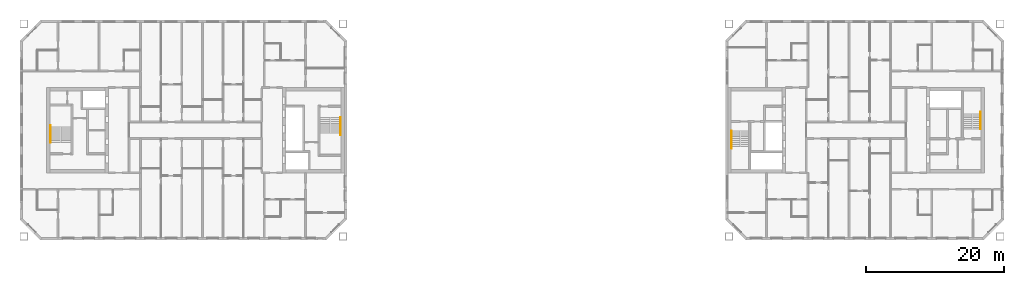
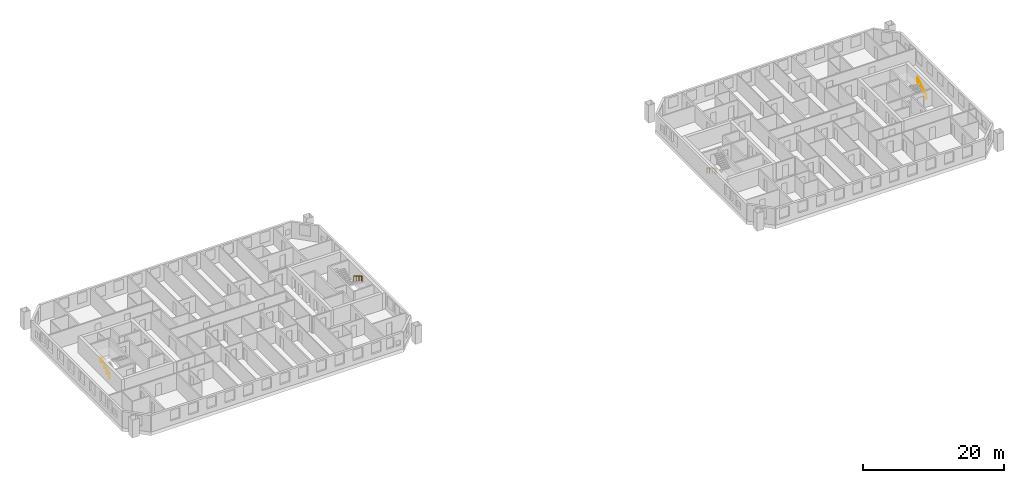
# One storey, part 15 of 15: 4 railings.
"""IFC4 building model written with IfcOpenShell, lengths in metres."""

from ifc_helpers import new_model, si_unit, direction, frame, origin, origin_2d, place, context, subcontext, project, spatial, circle, extrude, material, type_object, element, save


model = new_model("IFC4")

# Units and contexts
model_context = context("Model", 3, precision=1e-05, world=origin(), true_north=direction((0.0, 1.0)))
body_context = subcontext(model_context, "Body", "Model", "MODEL_VIEW")
ifc_project = project(units=[si_unit("LENGTHUNIT", "METRE"), si_unit("AREAUNIT", "SQUARE_METRE"), si_unit("VOLUMEUNIT", "CUBIC_METRE"), si_unit("PLANEANGLEUNIT", "RADIAN"), si_unit("MASSUNIT", "GRAM", prefix="KILO")], contexts=[model_context])

# Site, building, storey
site_placement = place(None, origin())
site = spatial("IfcSite", under=ifc_project, at=site_placement, CompositionType="ELEMENT")
building_placement = place(site_placement, origin())
building = spatial("IfcBuilding", under=site, at=building_placement, Name="Tuart Gate Housing", CompositionType="ELEMENT")
storey_placement = place(building_placement, frame((0.0, 0.0, 148.5)))
storey = spatial("IfcBuildingStorey", under=building, at=storey_placement, Name="L41", CompositionType="ELEMENT", Elevation=148.5)

# Railings
ifc_material = material(Name="Stainless steel", Category="steel")
railing_type = type_object("IfcRailingType", Name="Stair handrail 900", PredefinedType="HANDRAIL", material=ifc_material)
railing_1_placement = place(storey_placement, frame((75.080078125, 71.824951171875, 0.172119140625)))
element("IfcRailing", 1, at=railing_1_placement, inside=storey, type_object=railing_type, Name="Stair handrail SA1.1", PredefinedType="HANDRAIL", context=body_context, shape_type="SweptSolid", body=[
    extrude(circle(Radius=0.02392578125, at=origin_2d()), frame((0.0, 0.0, 0.8759765625), z_axis=(0.0, -0.851747552033, 0.523952390591), x_axis=(1.0, 0.0, 0.0)), (0.0, 0.0, 1.0), 2.6298828125),
    extrude(circle(Radius=0.02392578125, at=origin_2d()), frame((0.0, -2.239990234375, 2.25390625), z_axis=(0.0, -1.0, 0.0), x_axis=(1.0, 0.0, 0.0)), (0.0, 0.0, 1.0), 0.300048828125),
    extrude(circle(Radius=0.02099609375, at=origin_2d()), origin(), (0.0, 0.0, 1.0), 0.851806640625),
    extrude(circle(Radius=0.02099609375, at=origin_2d()), frame((0.0, -0.74658203125, 0.459228515625)), (0.0, 0.0, 1.0), 0.851806640625),
    extrude(circle(Radius=0.02099609375, at=origin_2d()), frame((0.0, -1.493408203125, 0.918701171875)), (0.0, 0.0, 1.0), 0.851806640625),
    extrude(circle(Radius=0.02099609375, at=origin_2d()), frame((0.0, -2.239990234375, 1.3779296875)), (0.0, 0.0, 1.0), 0.851806640625),
    extrude(circle(Radius=0.02099609375, at=origin_2d()), frame((0.0, -2.5400390625, 1.3779296875)), (0.0, 0.0, 1.0), 0.851806640625),
])
railing_2_placement = place(storey_placement, frame((32.919921875, 68.175048828125, 0.172119140625)))
element("IfcRailing", 2, at=railing_2_placement, inside=storey, type_object=railing_type, Name="Stair handrail SA2.1", PredefinedType="HANDRAIL", context=body_context, shape_type="SweptSolid", body=[
    extrude(circle(Radius=0.02392578125, at=origin_2d()), frame((0.0, 0.0, 0.8759765625), z_axis=(0.0, 0.851747552033, 0.523952390591), x_axis=(-1.0, 0.0, 0.0)), (0.0, 0.0, 1.0), 2.6298828125),
    extrude(circle(Radius=0.02392578125, at=origin_2d()), frame((0.0, 2.239990234375, 2.25390625), z_axis=(0.0, 1.0, 0.0), x_axis=(-1.0, 0.0, 0.0)), (0.0, 0.0, 1.0), 0.300048828125),
    extrude(circle(Radius=0.02099609375, at=origin_2d()), origin(), (0.0, 0.0, 1.0), 0.851806640625),
    extrude(circle(Radius=0.02099609375, at=origin_2d()), frame((0.0, 0.74658203125, 0.459228515625)), (0.0, 0.0, 1.0), 0.851806640625),
    extrude(circle(Radius=0.02099609375, at=origin_2d()), frame((0.0, 1.493408203125, 0.918701171875)), (0.0, 0.0, 1.0), 0.851806640625),
    extrude(circle(Radius=0.02099609375, at=origin_2d()), frame((0.0, 2.239990234375, 1.3779296875)), (0.0, 0.0, 1.0), 0.851806640625),
    extrude(circle(Radius=0.02099609375, at=origin_2d()), frame((0.0, 2.5400390625, 1.3779296875)), (0.0, 0.0, 1.0), 0.851806640625),
])
railing_3_placement = place(storey_placement, frame((131.919921875, 69.875, 0.172119140625)))
element("IfcRailing", 3, at=railing_3_placement, inside=storey, type_object=railing_type, Name="Stair handrail SB1.1", PredefinedType="HANDRAIL", context=body_context, shape_type="SweptSolid", body=[
    extrude(circle(Radius=0.02392578125, at=origin_2d()), frame((0.0, 0.0, 0.8759765625), z_axis=(0.0, -0.851747552033, 0.523952390591), x_axis=(1.0, 0.0, 0.0)), (0.0, 0.0, 1.0), 2.6298828125),
    extrude(circle(Radius=0.02392578125, at=origin_2d()), frame((0.0, -2.239990234375, 2.25390625), z_axis=(0.0, -1.0, 0.0), x_axis=(1.0, 0.0, 0.0)), (0.0, 0.0, 1.0), 0.300048828125),
    extrude(circle(Radius=0.02099609375, at=origin_2d()), origin(), (0.0, 0.0, 1.0), 0.851806640625),
    extrude(circle(Radius=0.02099609375, at=origin_2d()), frame((0.0, -0.74658203125, 0.459228515625)), (0.0, 0.0, 1.0), 0.851806640625),
    extrude(circle(Radius=0.02099609375, at=origin_2d()), frame((0.0, -1.493408203125, 0.918701171875)), (0.0, 0.0, 1.0), 0.851806640625),
    extrude(circle(Radius=0.02099609375, at=origin_2d()), frame((0.0, -2.239990234375, 1.3779296875)), (0.0, 0.0, 1.0), 0.851806640625),
    extrude(circle(Radius=0.02099609375, at=origin_2d()), frame((0.0, -2.5400390625, 1.3779296875)), (0.0, 0.0, 1.0), 0.851806640625),
])
railing_4_placement = place(storey_placement, frame((168.080078125, 70.125, 0.172119140625)))
element("IfcRailing", 4, at=railing_4_placement, inside=storey, type_object=railing_type, Name="Stair handrail SB2.1", PredefinedType="HANDRAIL", context=body_context, shape_type="SweptSolid", body=[
    extrude(circle(Radius=0.02392578125, at=origin_2d()), frame((0.0, 0.0, 0.8759765625), z_axis=(0.0, 0.851747552033, 0.523952390591), x_axis=(-1.0, 0.0, 0.0)), (0.0, 0.0, 1.0), 2.6298828125),
    extrude(circle(Radius=0.02392578125, at=origin_2d()), frame((0.0, 2.239990234375, 2.25390625), z_axis=(0.0, 1.0, 0.0), x_axis=(-1.0, 0.0, 0.0)), (0.0, 0.0, 1.0), 0.300048828125),
    extrude(circle(Radius=0.02099609375, at=origin_2d()), origin(), (0.0, 0.0, 1.0), 0.851806640625),
    extrude(circle(Radius=0.02099609375, at=origin_2d()), frame((0.0, 0.74658203125, 0.459228515625)), (0.0, 0.0, 1.0), 0.851806640625),
    extrude(circle(Radius=0.02099609375, at=origin_2d()), frame((0.0, 1.493408203125, 0.918701171875)), (0.0, 0.0, 1.0), 0.851806640625),
    extrude(circle(Radius=0.02099609375, at=origin_2d()), frame((0.0, 2.239990234375, 1.3779296875)), (0.0, 0.0, 1.0), 0.851806640625),
    extrude(circle(Radius=0.02099609375, at=origin_2d()), frame((0.0, 2.5400390625, 1.3779296875)), (0.0, 0.0, 1.0), 0.851806640625),
])

save(model, "model.ifc")
